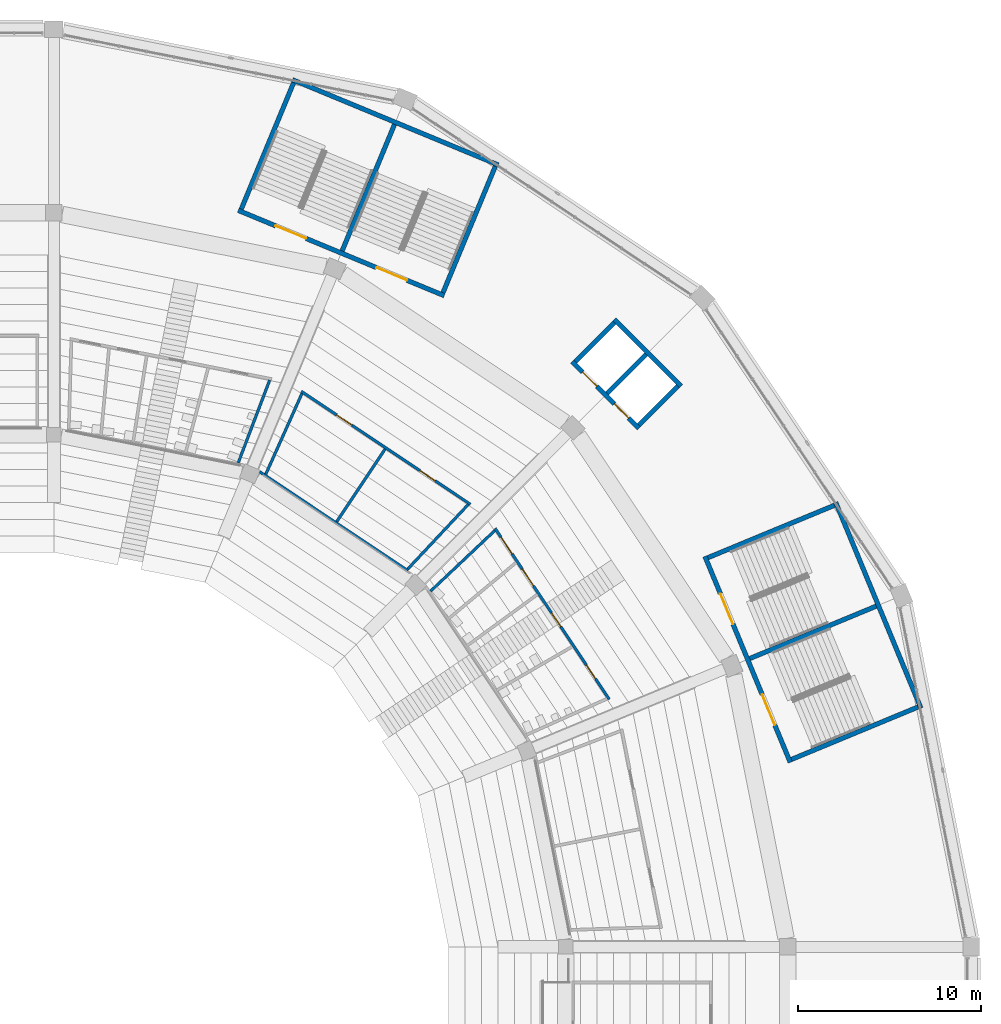
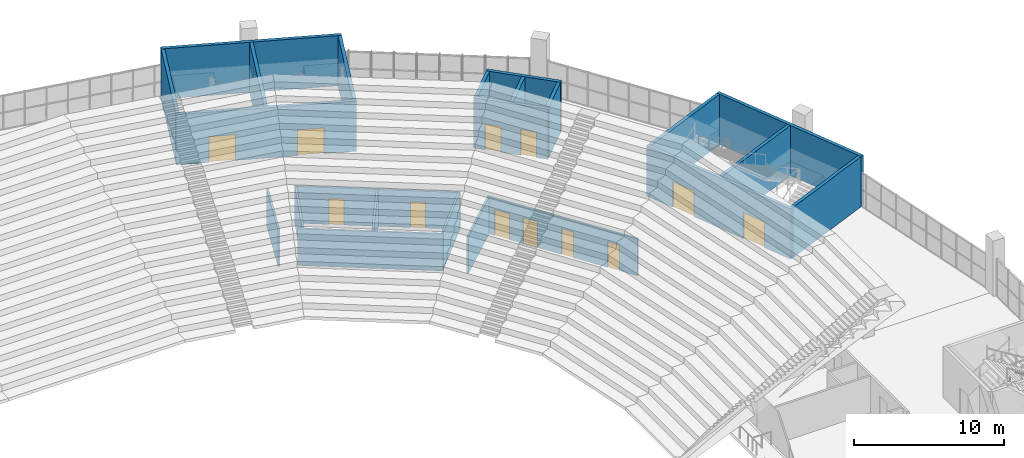
# One storey, part 99 of 249: 23 walls, 12 doors, 12 openings.
"""IFC4 building model written with IfcOpenShell, lengths in metres."""

from ifc_helpers import new_model, si_unit, direction, frame, frame_2d, origin, place, context, subcontext, project, spatial, rectangle, extrude, material, layer, layer_set, type_object, element, fill, save


model = new_model("IFC4")

# Units and contexts
model_context = context("Model", 3, precision=1e-05, world=origin(), true_north=direction((0.0, 1.0)))
body_context = subcontext(model_context, "Body", "Model", "MODEL_VIEW")
ifc_project = project(units=[si_unit("LENGTHUNIT", "METRE"), si_unit("AREAUNIT", "SQUARE_METRE"), si_unit("VOLUMEUNIT", "CUBIC_METRE"), si_unit("PLANEANGLEUNIT", "RADIAN"), si_unit("MASSUNIT", "GRAM", prefix="KILO")], contexts=[model_context])

# Site, building, storey
site_placement = place(None, origin())
site = spatial("IfcSite", under=ifc_project, at=site_placement, CompositionType="ELEMENT")
building_placement = place(site_placement, origin())
building = spatial("IfcBuilding", under=site, at=building_placement, Name="Ogive Plaza Stadium", CompositionType="ELEMENT")
storey_placement = place(building_placement, frame((0.0, 0.0, 13.5)))
storey = spatial("IfcBuildingStorey", under=building, at=storey_placement, Name="L03", CompositionType="ELEMENT", Elevation=13.5)

# Wall
ifc_material_1 = material(Name="Masonry blockwork", Category="masonry")
ifc_layer_1 = layer(ifc_material_1, 0.14990234375)
ifc_layer_set_1 = layer_set([ifc_layer_1], Name="Blockwork wall 150")
wall_type_1 = type_object("IfcWallType", Name="Blockwork wall 150", PredefinedType="SOLIDWALL", material=ifc_layer_set_1)
wall_1_placement = place(storey_placement, frame((45.21142578125, 78.390869140625, 0.0), z_axis=(0.0, 0.0, 1.0), x_axis=(0.831470078842, -0.555569534793, 0.0)))
element("IfcWall", 1, at=wall_1_placement, inside=storey, type_object=wall_type_1, Name="Wall L03 B38", PredefinedType="SOLIDWALL", context=body_context, shape_type="SweptSolid", body=[
    extrude(rectangle(XDim=9.7177734375, YDim=0.14990234375, at=frame_2d((4.85888671875, 0.0))), origin(), (0.0, 0.0, 1.0), 3.0),
])

# Wall, openings, doors
wall_2_placement = place(storey_placement, frame((47.485107421875, 82.76953125, 0.0), z_axis=(0.0, 0.0, 1.0), x_axis=(0.831470287315, -0.555569222791, 0.0)))
wall_2 = element("IfcWall", 2, at=wall_2_placement, inside=storey, type_object=wall_type_1, Name="Wall L03 B38", PredefinedType="SOLIDWALL", context=body_context, shape_type="SweptSolid", body=[
    extrude(rectangle(XDim=11.082275390625, YDim=0.14990234375, at=frame_2d((5.541015625, 0.0))), origin(), (0.0, 0.0, 1.0), 3.0),
])
opening_1_placement = place(wall_2_placement, frame((2.311279296875, 0.0, 0.0)))
opening_1 = element("IfcOpeningElement", 3, at=opening_1_placement, cuts=wall_2, Name="Opening D0893", PredefinedType="OPENING", context=body_context, shape_type="SweptSolid", body=[
    extrude(rectangle(XDim=1.0, YDim=2.10009765625, at=frame_2d((0.5, 1.050048828125))), frame((0.0, 0.074951171875, 0.0), z_axis=(0.0, -1.0, 0.0), x_axis=(1.0, 0.0, 0.0)), (0.0, 0.0, 1.0), 0.14990234375),
])
opening_2_placement = place(wall_2_placement, frame((7.771240234375, 0.0, 0.0)))
opening_2 = element("IfcOpeningElement", 4, at=opening_2_placement, cuts=wall_2, Name="Opening D0894", PredefinedType="OPENING", context=body_context, shape_type="SweptSolid", body=[
    extrude(rectangle(XDim=1.0, YDim=2.10009765625, at=frame_2d((0.5, 1.050048828125))), frame((0.0, 0.074951171875, 0.0), z_axis=(0.0, -1.0, 0.0), x_axis=(1.0, 0.0, 0.0)), (0.0, 0.0, 1.0), 0.14990234375),
])
ifc_material_2 = material(Name="Steel ASTM A572 Grade 50", Category="steel")
door_type_1 = type_object("IfcDoorType", Name="Fire door FD60 1000 x 2100", OperationType="SINGLE_SWING_LEFT", PredefinedType="DOOR", material=ifc_material_2)
door_1_placement = place(opening_1_placement, origin())
door_1 = element("IfcDoor", 5, at=door_1_placement, inside=storey, type_object=door_type_1, Name="Hospitality Pantry B38 door", OperationType="SINGLE_SWING_LEFT", OverallHeight=2.10009765625, OverallWidth=1.0, PredefinedType="DOOR", context=body_context, shape_type="SweptSolid", body=[
    extrude(rectangle(XDim=1.0, YDim=2.10009765625, at=frame_2d((0.5, 1.050048828125))), frame((0.0, 0.02490234375, 0.0), z_axis=(0.0, -1.0, 0.0), x_axis=(1.0, 0.0, 0.0)), (0.0, 0.0, 1.0), 0.050048828125),
])
fill(opening_1, door_1)
door_2_placement = place(opening_2_placement, origin())
door_2 = element("IfcDoor", 6, at=door_2_placement, inside=storey, type_object=door_type_1, Name="Hospitality Store B38 door", OperationType="SINGLE_SWING_RIGHT", OverallHeight=2.10009765625, OverallWidth=1.0, PredefinedType="DOOR", context=body_context, shape_type="SweptSolid", body=[
    extrude(rectangle(XDim=1.0, YDim=2.10009765625, at=frame_2d((0.5, 1.050048828125))), frame((0.0, 0.02490234375, 0.0), z_axis=(0.0, -1.0, 0.0), x_axis=(1.0, 0.0, 0.0)), (0.0, 0.0, 1.0), 0.050048828125),
])
fill(opening_2, door_2)

# Walls
wall_3_placement = place(storey_placement, frame((45.548095703125, 78.25439453125, 0.0), z_axis=(0.0, 0.0, 1.0), x_axis=(0.409145990025, 0.912468935825, 0.0)))
element("IfcWall", 7, at=wall_3_placement, inside=storey, type_object=wall_type_1, Name="Wall L03 B38", PredefinedType="SOLIDWALL", context=body_context, shape_type="SweptSolid", body=[
    extrude(rectangle(XDim=4.824462890625, YDim=0.14990234375, at=frame_2d((2.412109375, 0.0))), origin(), (0.0, 0.0, 1.0), 3.0),
])
wall_4_placement = place(storey_placement, frame((49.41650390625, 75.669677734375, 0.0), z_axis=(0.0, 0.0, 1.0), x_axis=(0.553989356348, 0.832523749243, 0.0)))
element("IfcWall", 8, at=wall_4_placement, inside=storey, type_object=wall_type_1, Name="Wall L03 B38", PredefinedType="SOLIDWALL", context=body_context, shape_type="SweptSolid", body=[
    extrude(rectangle(XDim=4.7568359375, YDim=0.14990234375, at=frame_2d((2.37841796875, 0.0))), origin(), (0.0, 0.0, 1.0), 3.0),
])
wall_5_placement = place(storey_placement, frame((53.28515625, 73.084716796875, 0.0), z_axis=(0.0, 0.0, 1.0), x_axis=(0.68366483381, 0.729796132499, 0.0)))
element("IfcWall", 9, at=wall_5_placement, inside=storey, type_object=wall_type_1, Name="Wall L03 B38", PredefinedType="SOLIDWALL", context=body_context, shape_type="SweptSolid", body=[
    extrude(rectangle(XDim=4.8212890625, YDim=0.14990234375, at=frame_2d((2.41064453125, 0.0))), origin(), (0.0, 0.0, 1.0), 3.0),
])

# Wall, openings, doors
ifc_material_3 = material(Name="Concrete C40/50", Category="concrete")
ifc_layer_2 = layer(ifc_material_3, 0.25)
ifc_layer_set_2 = layer_set([ifc_layer_2], Name="Concrete C40/50")
wall_type_2 = type_object("IfcWallType", Name="Core wall 250", PredefinedType="SHEAR", material=ifc_layer_set_2)
wall_6_placement = place(storey_placement, frame((55.27392578125, 87.98486328125, 0.0), z_axis=(0.0, 0.0, 1.0), x_axis=(-0.923877480578, 0.382688386133, 0.0)))
wall_6 = element("IfcWall", 10, at=wall_6_placement, inside=storey, type_object=wall_type_2, Name="Stair core R38 inner wall", PredefinedType="SHEAR", context=body_context, shape_type="SweptSolid", body=[
    extrude(rectangle(XDim=12.14990234375, YDim=0.25, at=frame_2d((6.074951171875, 0.0))), origin(), (0.0, 0.0, 1.0), 4.090087890625),
])
opening_3_placement = place(wall_6_placement, frame((2.199951171875, 0.0, 0.0)))
opening_3 = element("IfcOpeningElement", 11, at=opening_3_placement, cuts=wall_6, Name="Opening D0279", PredefinedType="OPENING", context=body_context, shape_type="SweptSolid", body=[
    extrude(rectangle(XDim=1.800048828125, YDim=2.10009765625, at=frame_2d((0.89990234375, 1.050048828125))), frame((0.0, 0.125, 0.0), z_axis=(0.0, -1.0, 0.0), x_axis=(1.0, 0.0, 0.0)), (0.0, 0.0, 1.0), 0.25),
])
opening_4_placement = place(wall_6_placement, frame((8.14990234375, 0.0, 0.0)))
opening_4 = element("IfcOpeningElement", 12, at=opening_4_placement, cuts=wall_6, Name="Opening D0280", PredefinedType="OPENING", context=body_context, shape_type="SweptSolid", body=[
    extrude(rectangle(XDim=1.800048828125, YDim=2.10009765625, at=frame_2d((0.89990234375, 1.050048828125))), frame((0.0, 0.125, 0.0), z_axis=(0.0, -1.0, 0.0), x_axis=(1.0, 0.0, 0.0)), (0.0, 0.0, 1.0), 0.25),
])
ifc_material_4 = material(Name="Steel ASTM A572 Grade 50", Category="steel")
door_type_2 = type_object("IfcDoorType", Name="Fire door FD90 pair 1800 x 2100", OperationType="DOUBLE_DOOR_SINGLE_SWING", PredefinedType="DOOR", material=ifc_material_4)
door_3_placement = place(opening_3_placement, origin())
door_3 = element("IfcDoor", 13, at=door_3_placement, inside=storey, type_object=door_type_2, Name="Exit stair R38A door L03", OperationType="DOUBLE_DOOR_SINGLE_SWING", OverallHeight=2.10009765625, OverallWidth=1.800048828125, PredefinedType="DOOR", context=body_context, shape_type="SweptSolid", body=[
    extrude(rectangle(XDim=1.800048828125, YDim=2.10009765625, at=frame_2d((0.89990234375, 1.050048828125))), frame((0.0, 0.02490234375, 0.0), z_axis=(0.0, -1.0, 0.0), x_axis=(1.0, 0.0, 0.0)), (0.0, 0.0, 1.0), 0.050048828125),
])
fill(opening_3, door_3)
door_4_placement = place(opening_4_placement, origin())
door_4 = element("IfcDoor", 14, at=door_4_placement, inside=storey, type_object=door_type_2, Name="Exit stair R38B door L03", OperationType="DOUBLE_DOOR_SINGLE_SWING", OverallHeight=2.10009765625, OverallWidth=1.800048828125, PredefinedType="DOOR", context=body_context, shape_type="SweptSolid", body=[
    extrude(rectangle(XDim=1.800048828125, YDim=2.10009765625, at=frame_2d((0.89990234375, 1.050048828125))), frame((0.0, 0.02490234375, 0.0), z_axis=(0.0, -1.0, 0.0), x_axis=(1.0, 0.0, 0.0)), (0.0, 0.0, 1.0), 0.050048828125),
])
fill(opening_4, door_4)

# Walls
wall_7_placement = place(storey_placement, frame((58.224365234375, 95.108154296875, 0.0), z_axis=(0.0, 0.0, 1.0), x_axis=(-0.923884584817, 0.382671234792, 0.0)))
element("IfcWall", 15, at=wall_7_placement, inside=storey, type_object=wall_type_2, Name="Stair core R38 outer wall", PredefinedType="SHEAR", context=body_context, shape_type="SweptSolid", body=[
    extrude(rectangle(XDim=12.14990234375, YDim=0.25, at=frame_2d((6.074951171875, 0.0))), origin(), (0.0, 0.0, 1.0), 4.090087890625),
])
for number, where, z_axis, x_axis, name in (
    (16, (55.206298828125, 88.148193359375, 0.0), (0.0, 0.0, 1.0), (0.382664910245, 0.923887204407, 0.0), "Stair core R38 side wall"),
    (17, (44.212158203125, 92.7021484375, 0.0), (0.0, 0.0, 1.0), (0.382664910245, 0.923887204407, 0.0), "Stair core R38 side wall"),
):
    element("IfcWall", number, at=place(storey_placement, frame(where, z_axis=z_axis, x_axis=x_axis)), inside=storey, type_object=wall_type_2, Name=name, PredefinedType="SHEAR", context=body_context, shape_type="SweptSolid", body=[
        extrude(rectangle(XDim=7.460205078125, YDim=0.25, at=frame_2d((3.72998046875, 0.0))), origin(), (0.0, 0.0, 1.0), 4.090087890625),
    ])
wall_8_placement = place(storey_placement, frame((49.709228515625, 90.42529296875, 0.0), z_axis=(0.0, 0.0, 1.0), x_axis=(0.382676480483, 0.923882412044, 0.0)))
element("IfcWall", 18, at=wall_8_placement, inside=storey, type_object=wall_type_2, Name="Stair core R38 centre wall", PredefinedType="SHEAR", context=body_context, shape_type="SweptSolid", body=[
    extrude(rectangle(XDim=7.4599609375, YDim=0.25, at=frame_2d((3.72998046875, 0.0))), origin(), (0.0, 0.0, 1.0), 4.090087890625),
])

# Wall, openings, doors
wall_9_placement = place(storey_placement, frame((74.134521484375, 62.548828125, 0.0), z_axis=(0.0, 0.0, 1.0), x_axis=(-0.382688386133, 0.923877480578, 0.0)))
wall_9 = element("IfcWall", 19, at=wall_9_placement, inside=storey, type_object=wall_type_2, Name="Stair core R40 inner wall", PredefinedType="SHEAR", context=body_context, shape_type="SweptSolid", body=[
    extrude(rectangle(XDim=12.14990234375, YDim=0.25, at=frame_2d((6.074951171875, 0.0))), origin(), (0.0, 0.0, 1.0), 4.090087890625),
])
opening_5_placement = place(wall_9_placement, frame((2.199951171875, 0.0, 0.0)))
opening_5 = element("IfcOpeningElement", 20, at=opening_5_placement, cuts=wall_9, Name="Opening D0291", PredefinedType="OPENING", context=body_context, shape_type="SweptSolid", body=[
    extrude(rectangle(XDim=1.800048828125, YDim=2.10009765625, at=frame_2d((0.89990234375, 1.050048828125))), frame((0.0, 0.125, 0.0), z_axis=(0.0, -1.0, 0.0), x_axis=(1.0, 0.0, 0.0)), (0.0, 0.0, 1.0), 0.25),
])
opening_6_placement = place(wall_9_placement, frame((8.14990234375, 0.0, 0.0)))
opening_6 = element("IfcOpeningElement", 21, at=opening_6_placement, cuts=wall_9, Name="Opening D0292", PredefinedType="OPENING", context=body_context, shape_type="SweptSolid", body=[
    extrude(rectangle(XDim=1.800048828125, YDim=2.10009765625, at=frame_2d((0.89990234375, 1.050048828125))), frame((0.0, 0.125, 0.0), z_axis=(0.0, -1.0, 0.0), x_axis=(1.0, 0.0, 0.0)), (0.0, 0.0, 1.0), 0.25),
])
door_5_placement = place(opening_5_placement, origin())
door_5 = element("IfcDoor", 22, at=door_5_placement, inside=storey, type_object=door_type_2, Name="Exit stair R40A door L03", OperationType="DOUBLE_DOOR_SINGLE_SWING", OverallHeight=2.10009765625, OverallWidth=1.800048828125, PredefinedType="DOOR", context=body_context, shape_type="SweptSolid", body=[
    extrude(rectangle(XDim=1.800048828125, YDim=2.10009765625, at=frame_2d((0.89990234375, 1.050048828125))), frame((0.0, 0.02490234375, 0.0), z_axis=(0.0, -1.0, 0.0), x_axis=(1.0, 0.0, 0.0)), (0.0, 0.0, 1.0), 0.050048828125),
])
fill(opening_5, door_5)
door_6_placement = place(opening_6_placement, origin())
door_6 = element("IfcDoor", 23, at=door_6_placement, inside=storey, type_object=door_type_2, Name="Exit stair R40B door L03", OperationType="DOUBLE_DOOR_SINGLE_SWING", OverallHeight=2.10009765625, OverallWidth=1.800048828125, PredefinedType="DOOR", context=body_context, shape_type="SweptSolid", body=[
    extrude(rectangle(XDim=1.800048828125, YDim=2.10009765625, at=frame_2d((0.89990234375, 1.050048828125))), frame((0.0, 0.02490234375, 0.0), z_axis=(0.0, -1.0, 0.0), x_axis=(1.0, 0.0, 0.0)), (0.0, 0.0, 1.0), 0.050048828125),
])
fill(opening_6, door_6)

# Walls
wall_10_placement = place(storey_placement, frame((81.257568359375, 65.499267578125, 0.0), z_axis=(0.0, 0.0, 1.0), x_axis=(-0.382671234792, 0.923884584817, 0.0)))
element("IfcWall", 24, at=wall_10_placement, inside=storey, type_object=wall_type_2, Name="Stair core R40 outer wall", PredefinedType="SHEAR", context=body_context, shape_type="SweptSolid", body=[
    extrude(rectangle(XDim=12.14990234375, YDim=0.25, at=frame_2d((6.074951171875, 0.0))), origin(), (0.0, 0.0, 1.0), 4.090087890625),
])
for number, where, z_axis, x_axis, name in (
    (25, (74.2021484375, 62.712158203125, 0.0), (0.0, 0.0, 1.0), (0.923887204407, 0.382664910245, 0.0), "Stair core R40 side wall"),
    (26, (69.648193359375, 73.706298828125, 0.0), (0.0, 0.0, 1.0), (0.923887204407, 0.382664910245, 0.0), "Stair core R40 side wall"),
):
    element("IfcWall", number, at=place(storey_placement, frame(where, z_axis=z_axis, x_axis=x_axis)), inside=storey, type_object=wall_type_2, Name=name, PredefinedType="SHEAR", context=body_context, shape_type="SweptSolid", body=[
        extrude(rectangle(XDim=7.460205078125, YDim=0.25, at=frame_2d((3.72998046875, 0.0))), origin(), (0.0, 0.0, 1.0), 4.090087890625),
    ])
wall_11_placement = place(storey_placement, frame((71.92529296875, 68.209228515625, 0.0), z_axis=(0.0, 0.0, 1.0), x_axis=(0.923882412044, 0.382676480483, 0.0)))
element("IfcWall", 27, at=wall_11_placement, inside=storey, type_object=wall_type_2, Name="Stair core R40 centre wall", PredefinedType="SHEAR", context=body_context, shape_type="SweptSolid", body=[
    extrude(rectangle(XDim=7.4599609375, YDim=0.25, at=frame_2d((3.72998046875, 0.0))), origin(), (0.0, 0.0, 1.0), 4.090087890625),
])

# Wall, openings, doors
wall_12_placement = place(storey_placement, frame((65.890625, 80.7490234375, 0.0), z_axis=(0.0, 0.0, 1.0), x_axis=(-0.707106781187, 0.707106781187, 0.0)))
wall_12 = element("IfcWall", 28, at=wall_12_placement, inside=storey, type_object=wall_type_2, Name="Lift core LP39 landing wall", PredefinedType="SHEAR", context=body_context, shape_type="SweptSolid", body=[
    extrude(rectangle(XDim=5.14990234375, YDim=0.25, at=frame_2d((2.574951171875, 0.0))), origin(), (0.0, 0.0, 1.0), 4.090087890625),
])
opening_7_placement = place(wall_12_placement, frame((0.800048828125, 0.0, 0.0)))
opening_7 = element("IfcOpeningElement", 29, at=opening_7_placement, cuts=wall_12, Name="Opening LD099", PredefinedType="OPENING", context=body_context, shape_type="SweptSolid", body=[
    extrude(rectangle(XDim=1.10009765625, YDim=2.10009765625, at=frame_2d((0.550048828125, 1.050048828125))), frame((0.0, 0.125, 0.0), z_axis=(0.0, -1.0, 0.0), x_axis=(1.0, 0.0, 0.0)), (0.0, 0.0, 1.0), 0.25),
])
opening_8_placement = place(wall_12_placement, frame((3.25, 0.0, 0.0)))
opening_8 = element("IfcOpeningElement", 30, at=opening_8_placement, cuts=wall_12, Name="Opening LD100", PredefinedType="OPENING", context=body_context, shape_type="SweptSolid", body=[
    extrude(rectangle(XDim=1.10009765625, YDim=2.10009765625, at=frame_2d((0.550048828125, 1.050048828125))), frame((0.0, 0.125, 0.0), z_axis=(0.0, -1.0, 0.0), x_axis=(1.0, 0.0, 0.0)), (0.0, 0.0, 1.0), 0.25),
])
ifc_material_5 = material(Name="Steel ASTM A572 Grade 50", Category="steel")
door_type_3 = type_object("IfcDoorType", Name="Landing door 1100 x 2100", OperationType="SLIDING_TO_LEFT", PredefinedType="DOOR", material=ifc_material_5)
door_7_placement = place(opening_7_placement, origin())
door_7 = element("IfcDoor", 31, at=door_7_placement, inside=storey, type_object=door_type_3, Name="Lift landing door LP39 L03", OperationType="SLIDING_TO_LEFT", OverallHeight=2.10009765625, OverallWidth=1.10009765625, PredefinedType="DOOR", context=body_context, shape_type="SweptSolid", body=[
    extrude(rectangle(XDim=1.10009765625, YDim=2.10009765625, at=frame_2d((0.550048828125, 1.050048828125))), frame((0.0, 0.02490234375, 0.0), z_axis=(0.0, -1.0, 0.0), x_axis=(1.0, 0.0, 0.0)), (0.0, 0.0, 1.0), 0.050048828125),
])
fill(opening_7, door_7)
door_8_placement = place(opening_8_placement, origin())
door_8 = element("IfcDoor", 32, at=door_8_placement, inside=storey, type_object=door_type_3, Name="Lift landing door LP39 L03", OperationType="SLIDING_TO_LEFT", OverallHeight=2.10009765625, OverallWidth=1.10009765625, PredefinedType="DOOR", context=body_context, shape_type="SweptSolid", body=[
    extrude(rectangle(XDim=1.10009765625, YDim=2.10009765625, at=frame_2d((0.550048828125, 1.050048828125))), frame((0.0, 0.02490234375, 0.0), z_axis=(0.0, -1.0, 0.0), x_axis=(1.0, 0.0, 0.0)), (0.0, 0.0, 1.0), 0.050048828125),
])
fill(opening_8, door_8)

# Walls
wall_13_placement = place(storey_placement, frame((68.188720703125, 83.047119140625, 0.0), z_axis=(0.0, 0.0, 1.0), x_axis=(-0.707106781187, 0.707106781187, 0.0)))
element("IfcWall", 33, at=wall_13_placement, inside=storey, type_object=wall_type_2, Name="Lift core LP39 rear wall", PredefinedType="SHEAR", context=body_context, shape_type="SweptSolid", body=[
    extrude(rectangle(XDim=5.14990234375, YDim=0.25, at=frame_2d((2.574951171875, 0.0))), origin(), (0.0, 0.0, 1.0), 4.090087890625),
])
for number, where, z_axis, x_axis, name in (
    (34, (65.890625, 80.92578125, 0.0), (0.0, 0.0, 1.0), (0.707066087907, 0.707147472125, 0.0), "Lift core LP39 side wall"),
    (35, (62.42578125, 84.390625, 0.0), (0.0, 0.0, 1.0), (0.707147472125, 0.707066087907, 0.0), "Lift core LP39 side wall"),
):
    element("IfcWall", number, at=place(storey_placement, frame(where, z_axis=z_axis, x_axis=x_axis)), inside=storey, type_object=wall_type_2, Name=name, PredefinedType="SHEAR", context=body_context, shape_type="SweptSolid", body=[
        extrude(rectangle(XDim=2.999755859375, YDim=0.25, at=frame_2d((1.5, 0.0))), origin(), (0.0, 0.0, 1.0), 4.090087890625),
    ])
wall_14_placement = place(storey_placement, frame((64.158203125, 82.658203125, 0.0), z_axis=(0.0, 0.0, 1.0), x_axis=(0.707106781187, 0.707106781187, 0.0)))
element("IfcWall", 36, at=wall_14_placement, inside=storey, type_object=wall_type_2, Name="Lift core LP39 centre wall", PredefinedType="SHEAR", context=body_context, shape_type="SweptSolid", body=[
    extrude(rectangle(XDim=3.0, YDim=0.25, at=frame_2d((1.5, 0.0))), origin(), (0.0, 0.0, 1.0), 4.090087890625),
])
ifc_material_6 = material(Name="Gypsum board partition", Category="gypsum")
ifc_layer_3 = layer(ifc_material_6, 0.14990234375)
ifc_layer_set_3 = layer_set([ifc_layer_3], Name="Partition 150")
wall_type_3 = type_object("IfcWallType", Name="Partition 150", PredefinedType="PARTITIONING", material=ifc_layer_set_3)
wall_15_placement = place(storey_placement, frame((44.04541015625, 78.876953125, 0.0), z_axis=(0.0, 0.0, 1.0), x_axis=(0.355921670207, 0.934515791561, 0.0)))
element("IfcWall", 37, at=wall_15_placement, inside=storey, type_object=wall_type_3, Name="Wall L03 B37", PredefinedType="PARTITIONING", context=body_context, shape_type="SweptSolid", body=[
    extrude(rectangle(XDim=4.82421875, YDim=0.14990234375, at=frame_2d((2.412109375, 0.0))), origin(), (0.0, 0.0, 1.0), 3.0),
])

# Wall, openings, doors
wall_16_placement = place(storey_placement, frame((64.26953125, 65.985107421875, 0.0), z_axis=(0.0, 0.0, 1.0), x_axis=(-0.555569460176, 0.8314701287, 0.0)))
wall_16 = element("IfcWall", 38, at=wall_16_placement, inside=storey, type_object=wall_type_3, Name="Wall L03 B39", PredefinedType="PARTITIONING", context=body_context, shape_type="SweptSolid", body=[
    extrude(rectangle(XDim=11.208740234375, YDim=0.14990234375, at=frame_2d((5.6044921875, 0.0))), origin(), (0.0, 0.0, 1.0), 3.0),
])
opening_9_placement = place(wall_16_placement, frame((1.34326171875, 0.0, 0.0)))
opening_9 = element("IfcOpeningElement", 39, at=opening_9_placement, cuts=wall_16, Name="Opening D0895", PredefinedType="OPENING", context=body_context, shape_type="SweptSolid", body=[
    extrude(rectangle(XDim=0.89990234375, YDim=2.10009765625, at=frame_2d((0.449951171875, 1.050048828125))), frame((0.0, 0.074951171875, 0.0), z_axis=(0.0, -1.0, 0.0), x_axis=(1.0, 0.0, 0.0)), (0.0, 0.0, 1.0), 0.14990234375),
])
opening_10_placement = place(wall_16_placement, frame((4.767822265625, 0.0, 0.0)))
opening_10 = element("IfcOpeningElement", 40, at=opening_10_placement, cuts=wall_16, Name="Opening D0896", PredefinedType="OPENING", context=body_context, shape_type="SweptSolid", body=[
    extrude(rectangle(XDim=0.89990234375, YDim=2.10009765625, at=frame_2d((0.449951171875, 1.050048828125))), frame((0.0, 0.074951171875, 0.0), z_axis=(0.0, -1.0, 0.0), x_axis=(1.0, 0.0, 0.0)), (0.0, 0.0, 1.0), 0.14990234375),
])
opening_11_placement = place(wall_16_placement, frame((7.4296875, 0.0, 0.0)))
opening_11 = element("IfcOpeningElement", 41, at=opening_11_placement, cuts=wall_16, Name="Opening D0897", PredefinedType="OPENING", context=body_context, shape_type="SweptSolid", body=[
    extrude(rectangle(XDim=1.10009765625, YDim=2.10009765625, at=frame_2d((0.550048828125, 1.050048828125))), frame((0.0, 0.074951171875, 0.0), z_axis=(0.0, -1.0, 0.0), x_axis=(1.0, 0.0, 0.0)), (0.0, 0.0, 1.0), 0.14990234375),
])
opening_12_placement = place(wall_16_placement, frame((9.528564453125, 0.0, 0.0)))
opening_12 = element("IfcOpeningElement", 42, at=opening_12_placement, cuts=wall_16, Name="Opening D0898", PredefinedType="OPENING", context=body_context, shape_type="SweptSolid", body=[
    extrude(rectangle(XDim=1.10009765625, YDim=2.10009765625, at=frame_2d((0.550048828125, 1.050048828125))), frame((0.0, 0.074951171875, 0.0), z_axis=(0.0, -1.0, 0.0), x_axis=(1.0, 0.0, 0.0)), (0.0, 0.0, 1.0), 0.14990234375),
])
ifc_material_7 = material(Name="Steel ASTM A572 Grade 50", Category="steel")
door_type_4 = type_object("IfcDoorType", Name="Accessible door 1100 x 2100", OperationType="SINGLE_SWING_LEFT", PredefinedType="DOOR", material=ifc_material_7)
door_9_placement = place(opening_11_placement, origin())
door_9 = element("IfcDoor", 43, at=door_9_placement, inside=storey, type_object=door_type_4, Name="Accessible WC B39 door", OperationType="SINGLE_SWING_LEFT", OverallHeight=2.10009765625, OverallWidth=1.10009765625, PredefinedType="DOOR", context=body_context, shape_type="SweptSolid", body=[
    extrude(rectangle(XDim=1.10009765625, YDim=2.10009765625, at=frame_2d((0.550048828125, 1.050048828125))), frame((0.0, 0.02490234375, 0.0), z_axis=(0.0, -1.0, 0.0), x_axis=(1.0, 0.0, 0.0)), (0.0, 0.0, 1.0), 0.050048828125),
])
fill(opening_11, door_9)
door_10_placement = place(opening_12_placement, origin())
door_10 = element("IfcDoor", 44, at=door_10_placement, inside=storey, type_object=door_type_4, Name="Family WC B39 door", OperationType="SINGLE_SWING_LEFT", OverallHeight=2.10009765625, OverallWidth=1.10009765625, PredefinedType="DOOR", context=body_context, shape_type="SweptSolid", body=[
    extrude(rectangle(XDim=1.10009765625, YDim=2.10009765625, at=frame_2d((0.550048828125, 1.050048828125))), frame((0.0, 0.02490234375, 0.0), z_axis=(0.0, -1.0, 0.0), x_axis=(1.0, 0.0, 0.0)), (0.0, 0.0, 1.0), 0.050048828125),
])
fill(opening_12, door_10)
ifc_material_8 = material(Name="Steel ASTM A572 Grade 50", Category="steel")
door_type_5 = type_object("IfcDoorType", Name="Door 900 x 2100", OperationType="SINGLE_SWING_LEFT", PredefinedType="DOOR", material=ifc_material_8)
door_11_placement = place(opening_9_placement, origin())
door_11 = element("IfcDoor", 45, at=door_11_placement, inside=storey, type_object=door_type_5, Name="Men's Toilet B39 door", OperationType="SINGLE_SWING_RIGHT", OverallHeight=2.10009765625, OverallWidth=0.89990234375, PredefinedType="DOOR", context=body_context, shape_type="SweptSolid", body=[
    extrude(rectangle(XDim=0.89990234375, YDim=2.10009765625, at=frame_2d((0.449951171875, 1.050048828125))), frame((0.0, 0.02490234375, 0.0), z_axis=(0.0, -1.0, 0.0), x_axis=(1.0, 0.0, 0.0)), (0.0, 0.0, 1.0), 0.050048828125),
])
fill(opening_9, door_11)
door_12_placement = place(opening_10_placement, origin())
door_12 = element("IfcDoor", 46, at=door_12_placement, inside=storey, type_object=door_type_5, Name="Women's Toilet B39 door", OperationType="SINGLE_SWING_RIGHT", OverallHeight=2.10009765625, OverallWidth=0.89990234375, PredefinedType="DOOR", context=body_context, shape_type="SweptSolid", body=[
    extrude(rectangle(XDim=0.89990234375, YDim=2.10009765625, at=frame_2d((0.449951171875, 1.050048828125))), frame((0.0, 0.02490234375, 0.0), z_axis=(0.0, -1.0, 0.0), x_axis=(1.0, 0.0, 0.0)), (0.0, 0.0, 1.0), 0.050048828125),
])
fill(opening_10, door_12)

# Wall
wall_17_placement = place(storey_placement, frame((54.52490234375, 71.874755859375, 0.0), z_axis=(0.0, 0.0, 1.0), x_axis=(0.727182951144, 0.686443701672, 0.0)))
element("IfcWall", 47, at=wall_17_placement, inside=storey, type_object=wall_type_3, Name="Wall L03 B39", PredefinedType="PARTITIONING", context=body_context, shape_type="SweptSolid", body=[
    extrude(rectangle(XDim=4.82421875, YDim=0.14990234375, at=frame_2d((2.412109375, 0.0))), origin(), (0.0, 0.0, 1.0), 3.0),
])

save(model, "model.ifc")
